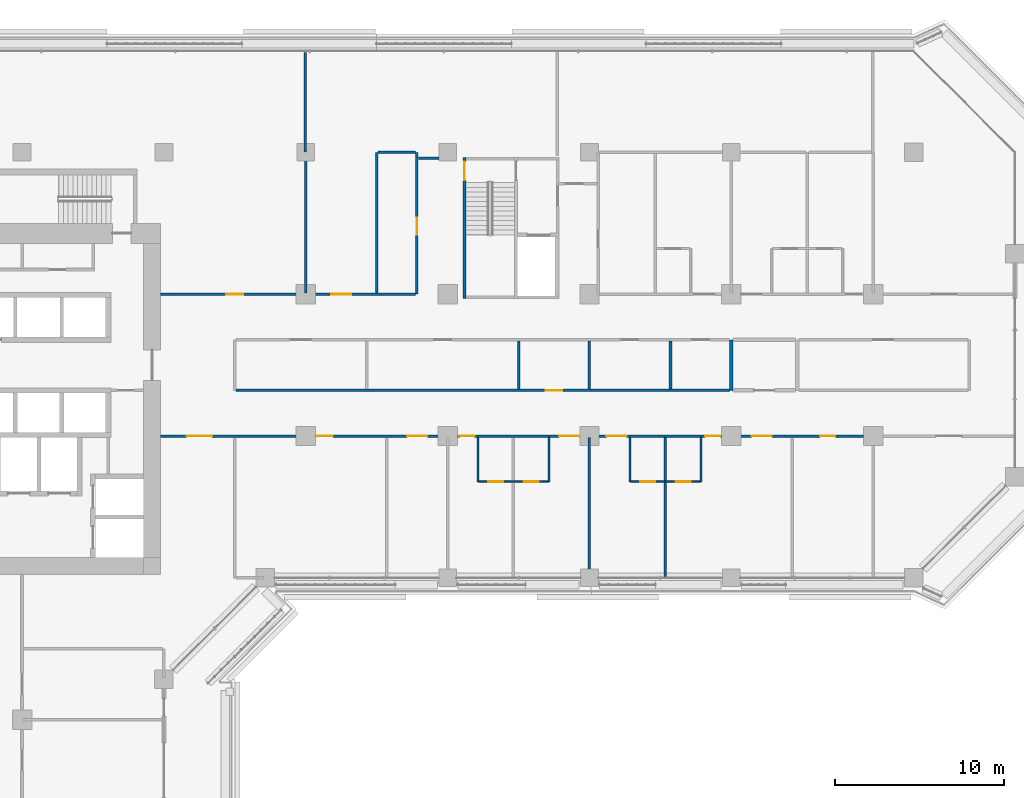
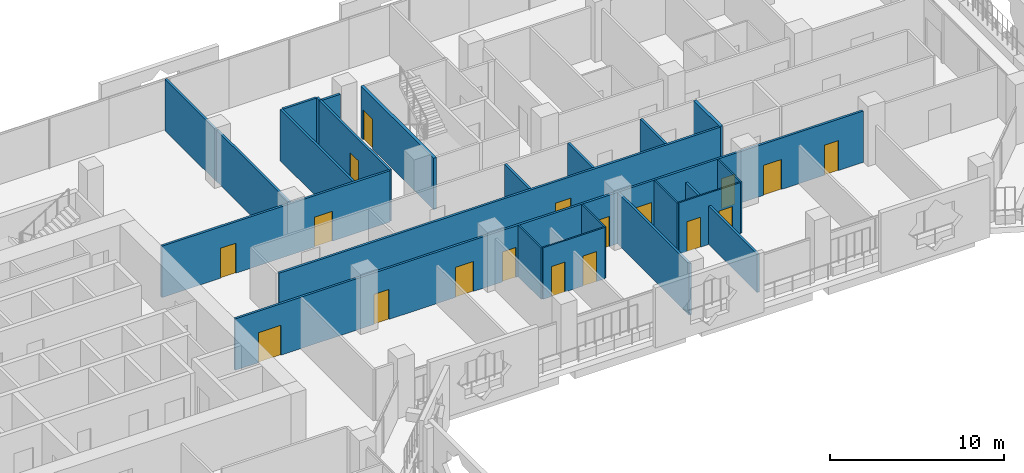
# One storey, part 15 of 25: 23 walls, 18 doors, 18 openings.
"""IFC4 building model written with IfcOpenShell, lengths in metres."""

from ifc_helpers import new_model, si_unit, direction, frame, frame_2d, origin, place, context, subcontext, project, spatial, rectangle, extrude, material, layer, layer_set, type_object, element, fill, save


model = new_model("IFC4")

# Units and contexts
model_context = context("Model", 3, precision=1e-05, world=origin(), true_north=direction((0.0, 1.0)))
body_context = subcontext(model_context, "Body", "Model", "MODEL_VIEW")
ifc_project = project(units=[si_unit("LENGTHUNIT", "METRE"), si_unit("AREAUNIT", "SQUARE_METRE"), si_unit("VOLUMEUNIT", "CUBIC_METRE"), si_unit("PLANEANGLEUNIT", "RADIAN"), si_unit("MASSUNIT", "GRAM", prefix="KILO")], contexts=[model_context])

# Site, building, storey
site_placement = place(None, origin())
site = spatial("IfcSite", under=ifc_project, at=site_placement, CompositionType="ELEMENT")
building_placement = place(site_placement, origin())
building = spatial("IfcBuilding", under=site, at=building_placement, Name="Kawkab Arch Medical Tower", CompositionType="ELEMENT")
storey_placement = place(building_placement, frame((0.0, 0.0, 145.0)))
storey = spatial("IfcBuildingStorey", under=building, at=storey_placement, Name="L33", CompositionType="ELEMENT", Elevation=145.0)

# Wall, openings, doors
ifc_material_1 = material(Name="Gypsum board partition on steel studs", Category="steel")
ifc_layer_1 = layer(ifc_material_1, 0.10009765625)
ifc_layer_set_1 = layer_set([ifc_layer_1], Name="Gypsum board partition on steel studs")
wall_type_1 = type_object("IfcWallType", Name="Partition 100", PredefinedType="PARTITIONING", material=ifc_layer_set_1)
wall_1_placement = place(storey_placement, frame((43.85009765625, -19.5, 0.0), z_axis=(0.0, 0.0, 1.0), x_axis=(1.0, 0.0, 0.0)))
wall_1 = element("IfcWall", 1, at=wall_1_placement, inside=storey, type_object=wall_type_1, Name="Partition 100 w005", PredefinedType="PARTITIONING", context=body_context, shape_type="SweptSolid", body=[
    extrude(rectangle(XDim=4.099853515625, YDim=0.10009765625, at=frame_2d((2.0498046875, 0.0))), origin(), (0.0, 0.0, 1.0), 3.60009765625),
])
opening_1_placement = place(wall_1_placement, frame((0.550048828125, 0.0, 0.0)))
opening_1 = element("IfcOpeningElement", 2, at=opening_1_placement, cuts=wall_1, Name="Opening W28-008", PredefinedType="OPENING", context=body_context, shape_type="SweptSolid", body=[
    extrude(rectangle(XDim=0.89990234375, YDim=2.10009765625, at=frame_2d((0.449951171875, 1.050048828125))), frame((0.0, 0.06005859375, 0.0), z_axis=(0.0, -1.0, 0.0), x_axis=(1.0, 0.0, 0.0)), (0.0, 0.0, 1.0), 0.1201171875),
])
opening_2_placement = place(wall_1_placement, frame((2.64990234375, 0.0, 0.0)))
opening_2 = element("IfcOpeningElement", 3, at=opening_2_placement, cuts=wall_1, Name="Opening W28-009", PredefinedType="OPENING", context=body_context, shape_type="SweptSolid", body=[
    extrude(rectangle(XDim=0.89990234375, YDim=2.10009765625, at=frame_2d((0.449951171875, 1.050048828125))), frame((0.0, 0.06005859375, 0.0), z_axis=(0.0, -1.0, 0.0), x_axis=(1.0, 0.0, 0.0)), (0.0, 0.0, 1.0), 0.1201171875),
])
ifc_material_2 = material(Name="Timber door leaf", Category="wood")
door_type_1 = type_object("IfcDoorType", Name="Single door 900x2100", OperationType="NOTDEFINED", PredefinedType="DOOR", material=ifc_material_2)
door_1_placement = place(opening_1_placement, origin())
door_1 = element("IfcDoor", 4, at=door_1_placement, inside=storey, type_object=door_type_1, Name="Door W28-008", OperationType="SINGLE_SWING_RIGHT", OverallHeight=2.10009765625, OverallWidth=0.89990234375, PredefinedType="DOOR", context=body_context, shape_type="SweptSolid", body=[
    extrude(rectangle(XDim=0.89990234375, YDim=2.10009765625, at=frame_2d((0.449951171875, 1.050048828125))), frame((0.0, 0.02490234375, 0.0), z_axis=(0.0, -1.0, 0.0), x_axis=(1.0, 0.0, 0.0)), (0.0, 0.0, 1.0), 0.050048828125),
])
fill(opening_1, door_1)
door_2_placement = place(opening_2_placement, origin())
door_2 = element("IfcDoor", 5, at=door_2_placement, inside=storey, type_object=door_type_1, Name="Door W28-009", OperationType="SINGLE_SWING_LEFT", OverallHeight=2.10009765625, OverallWidth=0.89990234375, PredefinedType="DOOR", context=body_context, shape_type="SweptSolid", body=[
    extrude(rectangle(XDim=0.89990234375, YDim=2.10009765625, at=frame_2d((0.449951171875, 1.050048828125))), frame((0.0, 0.02490234375, 0.0), z_axis=(0.0, -1.0, 0.0), x_axis=(1.0, 0.0, 0.0)), (0.0, 0.0, 1.0), 0.050048828125),
])
fill(opening_2, door_2)

wall_2_placement = place(storey_placement, frame((52.85009765625, -19.5, 0.0), z_axis=(0.0, 0.0, 1.0), x_axis=(1.0, 0.0, 0.0)))
wall_2 = element("IfcWall", 6, at=wall_2_placement, inside=storey, type_object=wall_type_1, Name="Partition 100 w006", PredefinedType="PARTITIONING", context=body_context, shape_type="SweptSolid", body=[
    extrude(rectangle(XDim=4.097900390625, YDim=0.10009765625, at=frame_2d((2.048828125, 0.0))), origin(), (0.0, 0.0, 1.0), 3.60009765625),
])
opening_3_placement = place(wall_2_placement, frame((0.550048828125, 0.0, 0.0)))
opening_3 = element("IfcOpeningElement", 7, at=opening_3_placement, cuts=wall_2, Name="Opening W28-010", PredefinedType="OPENING", context=body_context, shape_type="SweptSolid", body=[
    extrude(rectangle(XDim=0.89990234375, YDim=2.10009765625, at=frame_2d((0.449951171875, 1.050048828125))), frame((0.0, 0.06005859375, 0.0), z_axis=(0.0, -1.0, 0.0), x_axis=(1.0, 0.0, 0.0)), (0.0, 0.0, 1.0), 0.1201171875),
])
opening_4_placement = place(wall_2_placement, frame((2.64892578125, 0.0, 0.0)))
opening_4 = element("IfcOpeningElement", 8, at=opening_4_placement, cuts=wall_2, Name="Opening W28-011", PredefinedType="OPENING", context=body_context, shape_type="SweptSolid", body=[
    extrude(rectangle(XDim=0.89990234375, YDim=2.10009765625, at=frame_2d((0.449951171875, 1.050048828125))), frame((0.0, 0.06005859375, 0.0), z_axis=(0.0, -1.0, 0.0), x_axis=(1.0, 0.0, 0.0)), (0.0, 0.0, 1.0), 0.1201171875),
])
door_3_placement = place(opening_3_placement, origin())
door_3 = element("IfcDoor", 9, at=door_3_placement, inside=storey, type_object=door_type_1, Name="Door W28-010", OperationType="SINGLE_SWING_RIGHT", OverallHeight=2.10009765625, OverallWidth=0.89990234375, PredefinedType="DOOR", context=body_context, shape_type="SweptSolid", body=[
    extrude(rectangle(XDim=0.89990234375, YDim=2.10009765625, at=frame_2d((0.449951171875, 1.050048828125))), frame((0.0, 0.02490234375, 0.0), z_axis=(0.0, -1.0, 0.0), x_axis=(1.0, 0.0, 0.0)), (0.0, 0.0, 1.0), 0.050048828125),
])
fill(opening_3, door_3)
door_4_placement = place(opening_4_placement, origin())
door_4 = element("IfcDoor", 10, at=door_4_placement, inside=storey, type_object=door_type_1, Name="Door W28-011", OperationType="SINGLE_SWING_LEFT", OverallHeight=2.10009765625, OverallWidth=0.89990234375, PredefinedType="DOOR", context=body_context, shape_type="SweptSolid", body=[
    extrude(rectangle(XDim=0.89990234375, YDim=2.10009765625, at=frame_2d((0.449951171875, 1.050048828125))), frame((0.0, 0.02490234375, 0.0), z_axis=(0.0, -1.0, 0.0), x_axis=(1.0, 0.0, 0.0)), (0.0, 0.0, 1.0), 0.050048828125),
])
fill(opening_4, door_4)

# Walls
for number, where, z_axis, x_axis, name in (
    (11, (43.800048828125, -19.5, 0.0), (0.0, 0.0, 1.0), (0.0, 1.0, 0.0), "Partition 100 w012"),
    (12, (48.0, -19.5, 0.0), (0.0, 0.0, 1.0), (0.0, 1.0, 0.0), "Partition 100 w013"),
    (13, (52.800048828125, -19.5, 0.0), (0.0, 0.0, 1.0), (0.0, 1.0, 0.0), "Partition 100 w014"),
):
    element("IfcWall", number, at=place(storey_placement, frame(where, z_axis=z_axis, x_axis=x_axis)), inside=storey, type_object=wall_type_1, Name=name, PredefinedType="PARTITIONING", context=body_context, shape_type="SweptSolid", body=[
        extrude(rectangle(XDim=2.625, YDim=0.10009765625, at=frame_2d((1.3125, 0.0))), origin(), (0.0, 0.0, 1.0), 3.60009765625),
    ])
wall_3_placement = place(storey_placement, frame((57.0, -19.4990234375, 0.0), z_axis=(0.0, 0.0, 1.0), x_axis=(0.0, 1.0, 0.0)))
element("IfcWall", 14, at=wall_3_placement, inside=storey, type_object=wall_type_1, Name="Partition 100 w016", PredefinedType="PARTITIONING", context=body_context, shape_type="SweptSolid", body=[
    extrude(rectangle(XDim=2.6240234375, YDim=0.10009765625, at=frame_2d((1.31201171875, 0.0))), origin(), (0.0, 0.0, 1.0), 3.60009765625),
])

# Wall, openings, doors
ifc_material_3 = material(Name="Gypsum board partition on steel studs, mineral wool", Category="steel")
ifc_layer_2 = layer(ifc_material_3, 0.14990234375)
ifc_layer_set_2 = layer_set([ifc_layer_2], Name="Gypsum board partition on steel studs, mineral wool")
wall_type_2 = type_object("IfcWallType", Name="Partition 150", PredefinedType="PARTITIONING", material=ifc_layer_set_2)
wall_4_placement = place(storey_placement, frame((25.0, -16.800048828125, 0.0), z_axis=(0.0, 0.0, 1.0), x_axis=(1.0, 0.0, 0.0)))
wall_4 = element("IfcWall", 15, at=wall_4_placement, inside=storey, type_object=wall_type_2, Name="Partition 150 w037", PredefinedType="PARTITIONING", context=body_context, shape_type="SweptSolid", body=[
    extrude(rectangle(XDim=41.625, YDim=0.14990234375, at=frame_2d((20.8125, 0.0))), origin(), (0.0, 0.0, 1.0), 3.60009765625),
])
opening_5_placement = place(wall_4_placement, frame((1.550048828125, 0.0, 0.0)))
opening_5 = element("IfcOpeningElement", 16, at=opening_5_placement, cuts=wall_4, Name="Opening W28-001", PredefinedType="OPENING", context=body_context, shape_type="SweptSolid", body=[
    extrude(rectangle(XDim=1.5, YDim=2.10009765625, at=frame_2d((0.75, 1.050048828125))), frame((0.0, 0.0849609375, 0.0), z_axis=(0.0, -1.0, 0.0), x_axis=(1.0, 0.0, 0.0)), (0.0, 0.0, 1.0), 0.169921875),
])
opening_6_placement = place(wall_4_placement, frame((9.199951171875, 0.0, 0.0)))
opening_6 = element("IfcOpeningElement", 17, at=opening_6_placement, cuts=wall_4, Name="Opening W28-029", PredefinedType="OPENING", context=body_context, shape_type="SweptSolid", body=[
    extrude(rectangle(XDim=1.0, YDim=2.10009765625, at=frame_2d((0.5, 1.050048828125))), frame((0.0, 0.0849609375, 0.0), z_axis=(0.0, -1.0, 0.0), x_axis=(1.0, 0.0, 0.0)), (0.0, 0.0, 1.0), 0.169921875),
])
opening_7_placement = place(wall_4_placement, frame((14.60009765625, 0.0, 0.0)))
opening_7 = element("IfcOpeningElement", 18, at=opening_7_placement, cuts=wall_4, Name="Opening W28-039", PredefinedType="OPENING", context=body_context, shape_type="SweptSolid", body=[
    extrude(rectangle(XDim=1.199951171875, YDim=2.10009765625, at=frame_2d((0.60009765625, 1.050048828125))), frame((0.0, 0.0849609375, 0.0), z_axis=(0.0, -1.0, 0.0), x_axis=(1.0, 0.0, 0.0)), (0.0, 0.0, 1.0), 0.169921875),
])
opening_8_placement = place(wall_4_placement, frame((17.699951171875, 0.0, 0.0)))
opening_8 = element("IfcOpeningElement", 19, at=opening_8_placement, cuts=wall_4, Name="Opening W28-018", PredefinedType="OPENING", context=body_context, shape_type="SweptSolid", body=[
    extrude(rectangle(XDim=0.89990234375, YDim=2.10009765625, at=frame_2d((0.449951171875, 1.050048828125))), frame((0.0, 0.0849609375, 0.0), z_axis=(0.0, -1.0, 0.0), x_axis=(1.0, 0.0, 0.0)), (0.0, 0.0, 1.0), 0.169921875),
])
opening_9_placement = place(wall_4_placement, frame((23.60009765625, 0.0, 0.0)))
opening_9 = element("IfcOpeningElement", 20, at=opening_9_placement, cuts=wall_4, Name="Opening W28-040", PredefinedType="OPENING", context=body_context, shape_type="SweptSolid", body=[
    extrude(rectangle(XDim=1.199951171875, YDim=2.10009765625, at=frame_2d((0.60009765625, 1.050048828125))), frame((0.0, 0.0849609375, 0.0), z_axis=(0.0, -1.0, 0.0), x_axis=(1.0, 0.0, 0.0)), (0.0, 0.0, 1.0), 0.169921875),
])
opening_10_placement = place(wall_4_placement, frame((26.39990234375, 0.0, 0.0)))
opening_10 = element("IfcOpeningElement", 21, at=opening_10_placement, cuts=wall_4, Name="Opening W28-041", PredefinedType="OPENING", context=body_context, shape_type="SweptSolid", body=[
    extrude(rectangle(XDim=1.199951171875, YDim=2.10009765625, at=frame_2d((0.60009765625, 1.050048828125))), frame((0.0, 0.0849609375, 0.0), z_axis=(0.0, -1.0, 0.0), x_axis=(1.0, 0.0, 0.0)), (0.0, 0.0, 1.0), 0.169921875),
])
opening_11_placement = place(wall_4_placement, frame((35.0, 0.0, 0.0)))
opening_11 = element("IfcOpeningElement", 22, at=opening_11_placement, cuts=wall_4, Name="Opening W28-042", PredefinedType="OPENING", context=body_context, shape_type="SweptSolid", body=[
    extrude(rectangle(XDim=1.199951171875, YDim=2.10009765625, at=frame_2d((0.60009765625, 1.050048828125))), frame((0.0, 0.0849609375, 0.0), z_axis=(0.0, -1.0, 0.0), x_axis=(1.0, 0.0, 0.0)), (0.0, 0.0, 1.0), 0.169921875),
])
opening_12_placement = place(wall_4_placement, frame((32.25, 0.0, 0.0)))
opening_12 = element("IfcOpeningElement", 23, at=opening_12_placement, cuts=wall_4, Name="Opening W28-019", PredefinedType="OPENING", context=body_context, shape_type="SweptSolid", body=[
    extrude(rectangle(XDim=0.89990234375, YDim=2.10009765625, at=frame_2d((0.449951171875, 1.050048828125))), frame((0.0, 0.0849609375, 0.0), z_axis=(0.0, -1.0, 0.0), x_axis=(1.0, 0.0, 0.0)), (0.0, 0.0, 1.0), 0.169921875),
])
opening_13_placement = place(wall_4_placement, frame((39.06201171875, 0.0, 0.0)))
opening_13 = element("IfcOpeningElement", 24, at=opening_13_placement, cuts=wall_4, Name="Opening W28-012", PredefinedType="OPENING", context=body_context, shape_type="SweptSolid", body=[
    extrude(rectangle(XDim=0.89990234375, YDim=2.10009765625, at=frame_2d((0.449951171875, 1.050048828125))), frame((0.0, 0.0849609375, 0.0), z_axis=(0.0, -1.0, 0.0), x_axis=(1.0, 0.0, 0.0)), (0.0, 0.0, 1.0), 0.169921875),
])
ifc_material_4 = material(Name="Hollow metal door leaf")
door_type_2 = type_object("IfcDoorType", Name="Double door 1500x2100 FD30S", OperationType="NOTDEFINED", PredefinedType="DOOR", material=ifc_material_4)
door_5_placement = place(opening_5_placement, origin())
door_5 = element("IfcDoor", 25, at=door_5_placement, inside=storey, type_object=door_type_2, Name="Door W28-001", OperationType="DOUBLE_DOOR_SINGLE_SWING", OverallHeight=2.10009765625, OverallWidth=1.5, PredefinedType="DOOR", context=body_context, shape_type="SweptSolid", body=[
    extrude(rectangle(XDim=1.5, YDim=2.10009765625, at=frame_2d((0.75, 1.050048828125))), frame((0.0, 0.02490234375, 0.0), z_axis=(0.0, -1.0, 0.0), x_axis=(1.0, 0.0, 0.0)), (0.0, 0.0, 1.0), 0.050048828125),
])
fill(opening_5, door_5)
ifc_material_5 = material(Name="Hollow metal door leaf")
door_type_3 = type_object("IfcDoorType", Name="Single door 1000x2100 FD30S", OperationType="NOTDEFINED", PredefinedType="DOOR", material=ifc_material_5)
door_6_placement = place(opening_6_placement, origin())
door_6 = element("IfcDoor", 26, at=door_6_placement, inside=storey, type_object=door_type_3, Name="Door W28-029", OperationType="SINGLE_SWING_RIGHT", OverallHeight=2.10009765625, OverallWidth=1.0, PredefinedType="DOOR", context=body_context, shape_type="SweptSolid", body=[
    extrude(rectangle(XDim=1.0, YDim=2.10009765625, at=frame_2d((0.5, 1.050048828125))), frame((0.0, 0.02490234375, 0.0), z_axis=(0.0, -1.0, 0.0), x_axis=(1.0, 0.0, 0.0)), (0.0, 0.0, 1.0), 0.050048828125),
])
fill(opening_6, door_6)
ifc_material_6 = material(Name="Hollow metal door leaf")
door_type_4 = type_object("IfcDoorType", Name="Single door 1200x2100 FD30S", OperationType="NOTDEFINED", PredefinedType="DOOR", material=ifc_material_6)
door_7_placement = place(opening_7_placement, origin())
door_7 = element("IfcDoor", 27, at=door_7_placement, inside=storey, type_object=door_type_4, Name="Door W28-039", OperationType="SINGLE_SWING_RIGHT", OverallHeight=2.10009765625, OverallWidth=1.199951171875, PredefinedType="DOOR", context=body_context, shape_type="SweptSolid", body=[
    extrude(rectangle(XDim=1.199951171875, YDim=2.10009765625, at=frame_2d((0.60009765625, 1.050048828125))), frame((0.0, 0.02490234375, 0.0), z_axis=(0.0, -1.0, 0.0), x_axis=(1.0, 0.0, 0.0)), (0.0, 0.0, 1.0), 0.050048828125),
])
fill(opening_7, door_7)
door_8_placement = place(opening_9_placement, origin())
door_8 = element("IfcDoor", 28, at=door_8_placement, inside=storey, type_object=door_type_4, Name="Door W28-040", OperationType="SINGLE_SWING_LEFT", OverallHeight=2.10009765625, OverallWidth=1.199951171875, PredefinedType="DOOR", context=body_context, shape_type="SweptSolid", body=[
    extrude(rectangle(XDim=1.199951171875, YDim=2.10009765625, at=frame_2d((0.60009765625, 1.050048828125))), frame((0.0, 0.02490234375, 0.0), z_axis=(0.0, -1.0, 0.0), x_axis=(1.0, 0.0, 0.0)), (0.0, 0.0, 1.0), 0.050048828125),
])
fill(opening_9, door_8)
door_9_placement = place(opening_10_placement, origin())
door_9 = element("IfcDoor", 29, at=door_9_placement, inside=storey, type_object=door_type_4, Name="Door W28-041", OperationType="SINGLE_SWING_LEFT", OverallHeight=2.10009765625, OverallWidth=1.199951171875, PredefinedType="DOOR", context=body_context, shape_type="SweptSolid", body=[
    extrude(rectangle(XDim=1.199951171875, YDim=2.10009765625, at=frame_2d((0.60009765625, 1.050048828125))), frame((0.0, 0.02490234375, 0.0), z_axis=(0.0, -1.0, 0.0), x_axis=(1.0, 0.0, 0.0)), (0.0, 0.0, 1.0), 0.050048828125),
])
fill(opening_10, door_9)
door_10_placement = place(opening_11_placement, origin())
door_10 = element("IfcDoor", 30, at=door_10_placement, inside=storey, type_object=door_type_4, Name="Door W28-042", OperationType="SINGLE_SWING_LEFT", OverallHeight=2.10009765625, OverallWidth=1.199951171875, PredefinedType="DOOR", context=body_context, shape_type="SweptSolid", body=[
    extrude(rectangle(XDim=1.199951171875, YDim=2.10009765625, at=frame_2d((0.60009765625, 1.050048828125))), frame((0.0, 0.02490234375, 0.0), z_axis=(0.0, -1.0, 0.0), x_axis=(1.0, 0.0, 0.0)), (0.0, 0.0, 1.0), 0.050048828125),
])
fill(opening_11, door_10)
door_11_placement = place(opening_13_placement, origin())
door_11 = element("IfcDoor", 31, at=door_11_placement, inside=storey, type_object=door_type_1, Name="Door W28-012", OperationType="SINGLE_SWING_LEFT", OverallHeight=2.10009765625, OverallWidth=0.89990234375, PredefinedType="DOOR", context=body_context, shape_type="SweptSolid", body=[
    extrude(rectangle(XDim=0.89990234375, YDim=2.10009765625, at=frame_2d((0.449951171875, 1.050048828125))), frame((0.0, 0.02490234375, 0.0), z_axis=(0.0, -1.0, 0.0), x_axis=(1.0, 0.0, 0.0)), (0.0, 0.0, 1.0), 0.050048828125),
])
fill(opening_13, door_11)
ifc_material_7 = material(Name="Hollow metal door leaf")
door_type_5 = type_object("IfcDoorType", Name="Single door 900x2100 FD30S", OperationType="NOTDEFINED", PredefinedType="DOOR", material=ifc_material_7)
door_12_placement = place(opening_8_placement, origin())
door_12 = element("IfcDoor", 32, at=door_12_placement, inside=storey, type_object=door_type_5, Name="Door W28-018", OperationType="SINGLE_SWING_RIGHT", OverallHeight=2.10009765625, OverallWidth=0.89990234375, PredefinedType="DOOR", context=body_context, shape_type="SweptSolid", body=[
    extrude(rectangle(XDim=0.89990234375, YDim=2.10009765625, at=frame_2d((0.449951171875, 1.050048828125))), frame((0.0, 0.02490234375, 0.0), z_axis=(0.0, -1.0, 0.0), x_axis=(1.0, 0.0, 0.0)), (0.0, 0.0, 1.0), 0.050048828125),
])
fill(opening_8, door_12)
door_13_placement = place(opening_12_placement, origin())
door_13 = element("IfcDoor", 33, at=door_13_placement, inside=storey, type_object=door_type_5, Name="Door W28-019", OperationType="SINGLE_SWING_LEFT", OverallHeight=2.10009765625, OverallWidth=0.89990234375, PredefinedType="DOOR", context=body_context, shape_type="SweptSolid", body=[
    extrude(rectangle(XDim=0.89990234375, YDim=2.10009765625, at=frame_2d((0.449951171875, 1.050048828125))), frame((0.0, 0.02490234375, 0.0), z_axis=(0.0, -1.0, 0.0), x_axis=(1.0, 0.0, 0.0)), (0.0, 0.0, 1.0), 0.050048828125),
])
fill(opening_12, door_13)

# Wall, opening, door
wall_5_placement = place(storey_placement, frame((29.47509765625, -14.10009765625, 0.0), z_axis=(0.0, 0.0, 1.0), x_axis=(1.0, 0.0, 0.0)))
wall_5 = element("IfcWall", 34, at=wall_5_placement, inside=storey, type_object=wall_type_2, Name="Partition 150 w039", PredefinedType="PARTITIONING", context=body_context, shape_type="SweptSolid", body=[
    extrude(rectangle(XDim=29.224853515625, YDim=0.14990234375, at=frame_2d((14.6123046875, 0.0))), origin(), (0.0, 0.0, 1.0), 3.60009765625),
])
opening_14_placement = place(wall_5_placement, frame((18.324951171875, 0.0, 0.0)))
opening_14 = element("IfcOpeningElement", 35, at=opening_14_placement, cuts=wall_5, Name="Opening W28-027", PredefinedType="OPENING", context=body_context, shape_type="SweptSolid", body=[
    extrude(rectangle(XDim=1.0, YDim=2.10009765625, at=frame_2d((0.5, 1.050048828125))), frame((0.0, 0.0849609375, 0.0), z_axis=(0.0, -1.0, 0.0), x_axis=(1.0, 0.0, 0.0)), (0.0, 0.0, 1.0), 0.169921875),
])
door_14_placement = place(opening_14_placement, origin())
door_14 = element("IfcDoor", 36, at=door_14_placement, inside=storey, type_object=door_type_3, Name="Door W28-027", OperationType="SINGLE_SWING_RIGHT", OverallHeight=2.10009765625, OverallWidth=1.0, PredefinedType="DOOR", context=body_context, shape_type="SweptSolid", body=[
    extrude(rectangle(XDim=1.0, YDim=2.10009765625, at=frame_2d((0.5, 1.050048828125))), frame((0.0, 0.02490234375, 0.0), z_axis=(0.0, -1.0, 0.0), x_axis=(1.0, 0.0, 0.0)), (0.0, 0.0, 1.0), 0.050048828125),
])
fill(opening_14, door_14)

# Wall, openings, doors
wall_6_placement = place(storey_placement, frame((25.0, -8.39990234375, 0.0), z_axis=(0.0, 0.0, 1.0), x_axis=(1.0, 0.0, 0.0)))
wall_6 = element("IfcWall", 37, at=wall_6_placement, inside=storey, type_object=wall_type_2, Name="Partition 150 w043", PredefinedType="PARTITIONING", context=body_context, shape_type="SweptSolid", body=[
    extrude(rectangle(XDim=15.10693359375, YDim=0.14990234375, at=frame_2d((7.553466796875, 0.0))), origin(), (0.0, 0.0, 1.0), 3.60009765625),
])
opening_15_placement = place(wall_6_placement, frame((3.89990234375, 0.0, 0.0)))
opening_15 = element("IfcOpeningElement", 38, at=opening_15_placement, cuts=wall_6, Name="Opening W28-022", PredefinedType="OPENING", context=body_context, shape_type="SweptSolid", body=[
    extrude(rectangle(XDim=1.0, YDim=2.10009765625, at=frame_2d((0.5, 1.050048828125))), frame((0.0, 0.0849609375, 0.0), z_axis=(0.0, -1.0, 0.0), x_axis=(1.0, 0.0, 0.0)), (0.0, 0.0, 1.0), 0.169921875),
])
opening_16_placement = place(wall_6_placement, frame((10.10009765625, 0.0, 0.0)))
opening_16 = element("IfcOpeningElement", 39, at=opening_16_placement, cuts=wall_6, Name="Opening W28-034", PredefinedType="OPENING", context=body_context, shape_type="SweptSolid", body=[
    extrude(rectangle(XDim=1.199951171875, YDim=2.10009765625, at=frame_2d((0.60009765625, 1.050048828125))), frame((0.0, 0.0849609375, 0.0), z_axis=(0.0, -1.0, 0.0), x_axis=(1.0, 0.0, 0.0)), (0.0, 0.0, 1.0), 0.169921875),
])
door_15_placement = place(opening_15_placement, origin())
door_15 = element("IfcDoor", 40, at=door_15_placement, inside=storey, type_object=door_type_3, Name="Door W28-022", OperationType="SINGLE_SWING_LEFT", OverallHeight=2.10009765625, OverallWidth=1.0, PredefinedType="DOOR", context=body_context, shape_type="SweptSolid", body=[
    extrude(rectangle(XDim=1.0, YDim=2.10009765625, at=frame_2d((0.5, 1.050048828125))), frame((0.0, 0.02490234375, 0.0), z_axis=(0.0, -1.0, 0.0), x_axis=(1.0, 0.0, 0.0)), (0.0, 0.0, 1.0), 0.050048828125),
])
fill(opening_15, door_15)
door_16_placement = place(opening_16_placement, origin())
door_16 = element("IfcDoor", 41, at=door_16_placement, inside=storey, type_object=door_type_4, Name="Door W28-034", OperationType="SINGLE_SWING_RIGHT", OverallHeight=2.10009765625, OverallWidth=1.199951171875, PredefinedType="DOOR", context=body_context, shape_type="SweptSolid", body=[
    extrude(rectangle(XDim=1.199951171875, YDim=2.10009765625, at=frame_2d((0.60009765625, 1.050048828125))), frame((0.0, 0.02490234375, 0.0), z_axis=(0.0, -1.0, 0.0), x_axis=(1.0, 0.0, 0.0)), (0.0, 0.0, 1.0), 0.050048828125),
])
fill(opening_16, door_16)

# Walls
wall_7_placement = place(storey_placement, frame((40.277099609375, -0.35009765625, 0.0), z_axis=(0.0, 0.0, 1.0), x_axis=(1.0, 0.0, 0.0)))
element("IfcWall", 42, at=wall_7_placement, inside=storey, type_object=wall_type_2, Name="Partition 150 w047", PredefinedType="PARTITIONING", context=body_context, shape_type="SweptSolid", body=[
    extrude(rectangle(XDim=1.2109375, YDim=0.14990234375, at=frame_2d((0.60546875, 0.0))), origin(), (0.0, 0.0, 1.0), 3.60009765625),
])
wall_8_placement = place(storey_placement, frame((37.8779296875, 0.0, 0.0), z_axis=(0.0, 0.0, 1.0), x_axis=(1.0, 0.0, 0.0)))
element("IfcWall", 43, at=wall_8_placement, inside=storey, type_object=wall_type_2, Name="Partition 150 w049", PredefinedType="PARTITIONING", context=body_context, shape_type="SweptSolid", body=[
    extrude(rectangle(XDim=2.22607421875, YDim=0.14990234375, at=frame_2d((1.113037109375, 0.0))), origin(), (0.0, 0.0, 1.0), 3.60009765625),
])
wall_9_placement = place(storey_placement, frame((33.580078125, 0.02001953125, 0.0), z_axis=(0.0, 0.0, 1.0), x_axis=(0.0, 1.0, 0.0)))
element("IfcWall", 44, at=wall_9_placement, inside=storey, type_object=wall_type_2, Name="Partition 150 w063", PredefinedType="PARTITIONING", context=body_context, shape_type="SweptSolid", body=[
    extrude(rectangle(XDim=5.89990234375, YDim=0.14990234375, at=frame_2d((2.949951171875, 0.0))), origin(), (0.0, 0.0, 1.0), 3.60009765625),
])
for number, where, z_axis, x_axis, name in (
    (45, (33.60009765625, -8.324951171875, 0.0), (0.0, 0.0, 1.0), (0.0, 1.0, 0.0), "Partition 150 w064"),
    (46, (37.800048828125, -8.324951171875, 0.0), (0.0, 0.0, 1.0), (0.0, 1.0, 0.0), "Partition 150 w066"),
):
    element("IfcWall", number, at=place(storey_placement, frame(where, z_axis=z_axis, x_axis=x_axis)), inside=storey, type_object=wall_type_2, Name=name, PredefinedType="PARTITIONING", context=body_context, shape_type="SweptSolid", body=[
        extrude(rectangle(XDim=8.322021484375, YDim=0.14990234375, at=frame_2d((4.1611328125, 0.0))), origin(), (0.0, 0.0, 1.0), 3.60009765625),
    ])

# Wall, opening, door
wall_10_placement = place(storey_placement, frame((40.181884765625, -8.39990234375, 0.0), z_axis=(0.0, 0.0, 1.0), x_axis=(0.0, 1.0, 0.0)))
wall_10 = element("IfcWall", 47, at=wall_10_placement, inside=storey, type_object=wall_type_2, Name="Partition 150 w068", PredefinedType="PARTITIONING", context=body_context, shape_type="SweptSolid", body=[
    extrude(rectangle(XDim=8.0498046875, YDim=0.14990234375, at=frame_2d((4.02490234375, 0.0))), origin(), (0.0, 0.0, 1.0), 3.60009765625),
])
opening_17_placement = place(wall_10_placement, frame((3.52490234375, 0.0, 0.0)))
opening_17 = element("IfcOpeningElement", 48, at=opening_17_placement, cuts=wall_10, Name="Opening W28-023", PredefinedType="OPENING", context=body_context, shape_type="SweptSolid", body=[
    extrude(rectangle(XDim=1.0, YDim=2.10009765625, at=frame_2d((0.5, 1.050048828125))), frame((0.0, 0.0849609375, 0.0), z_axis=(0.0, -1.0, 0.0), x_axis=(1.0, 0.0, 0.0)), (0.0, 0.0, 1.0), 0.169921875),
])
door_17_placement = place(opening_17_placement, origin())
door_17 = element("IfcDoor", 49, at=door_17_placement, inside=storey, type_object=door_type_3, Name="Door W28-023", OperationType="SINGLE_SWING_RIGHT", OverallHeight=2.10009765625, OverallWidth=1.0, PredefinedType="DOOR", context=body_context, shape_type="SweptSolid", body=[
    extrude(rectangle(XDim=1.0, YDim=2.10009765625, at=frame_2d((0.5, 1.050048828125))), frame((0.0, 0.02490234375, 0.0), z_axis=(0.0, -1.0, 0.0), x_axis=(1.0, 0.0, 0.0)), (0.0, 0.0, 1.0), 0.050048828125),
])
fill(opening_17, door_17)

# Walls
wall_11_placement = place(storey_placement, frame((40.181884765625, -0.330078125, 0.0), z_axis=(0.0, 0.0, 1.0), x_axis=(0.0, 1.0, 0.0)))
element("IfcWall", 50, at=wall_11_placement, inside=storey, type_object=wall_type_2, Name="Partition 150 w069", PredefinedType="PARTITIONING", context=body_context, shape_type="SweptSolid", body=[
    extrude(rectangle(XDim=0.3271484375, YDim=0.14990234375, at=frame_2d((0.16357421875, 0.0))), origin(), (0.0, 0.0, 1.0), 3.60009765625),
])
wall_12_placement = place(storey_placement, frame((46.199951171875, -14.02490234375, 0.0), z_axis=(0.0, 0.0, 1.0), x_axis=(0.0, 1.0, 0.0)))
element("IfcWall", 51, at=wall_12_placement, inside=storey, type_object=wall_type_2, Name="Partition 150 w072", PredefinedType="PARTITIONING", context=body_context, shape_type="SweptSolid", body=[
    extrude(rectangle(XDim=2.849853515625, YDim=0.14990234375, at=frame_2d((1.4248046875, 0.0))), origin(), (0.0, 0.0, 1.0), 3.60009765625),
])
wall_13_placement = place(storey_placement, frame((50.39990234375, -25.1201171875, 0.0), z_axis=(0.0, 0.0, 1.0), x_axis=(0.0, 1.0, 0.0)))
element("IfcWall", 52, at=wall_13_placement, inside=storey, type_object=wall_type_2, Name="Partition 150 w074", PredefinedType="PARTITIONING", context=body_context, shape_type="SweptSolid", body=[
    extrude(rectangle(XDim=8.2451171875, YDim=0.14990234375, at=frame_2d((4.12255859375, 0.0))), origin(), (0.0, 0.0, 1.0), 3.60009765625),
])
wall_14_placement = place(storey_placement, frame((50.39990234375, -14.02490234375, 0.0), z_axis=(0.0, 0.0, 1.0), x_axis=(0.0, 1.0, 0.0)))
element("IfcWall", 53, at=wall_14_placement, inside=storey, type_object=wall_type_2, Name="Partition 150 w075", PredefinedType="PARTITIONING", context=body_context, shape_type="SweptSolid", body=[
    extrude(rectangle(XDim=2.849853515625, YDim=0.14990234375, at=frame_2d((1.4248046875, 0.0))), origin(), (0.0, 0.0, 1.0), 3.60009765625),
])
wall_15_placement = place(storey_placement, frame((54.89990234375, -25.1201171875, 0.0), z_axis=(0.0, 0.0, 1.0), x_axis=(0.0, 1.0, 0.0)))
element("IfcWall", 54, at=wall_15_placement, inside=storey, type_object=wall_type_2, Name="Partition 150 w079", PredefinedType="PARTITIONING", context=body_context, shape_type="SweptSolid", body=[
    extrude(rectangle(XDim=8.2451171875, YDim=0.14990234375, at=frame_2d((4.12255859375, 0.0))), origin(), (0.0, 0.0, 1.0), 2.699951171875),
])
wall_16_placement = place(storey_placement, frame((55.199951171875, -14.02490234375, 0.0), z_axis=(0.0, 0.0, 1.0), x_axis=(0.0, 1.0, 0.0)))
element("IfcWall", 55, at=wall_16_placement, inside=storey, type_object=wall_type_2, Name="Partition 150 w080", PredefinedType="PARTITIONING", context=body_context, shape_type="SweptSolid", body=[
    extrude(rectangle(XDim=2.849853515625, YDim=0.14990234375, at=frame_2d((1.4248046875, 0.0))), origin(), (0.0, 0.0, 1.0), 3.60009765625),
])
ifc_material_8 = material(Name="Fire-rated gypsum board partition on steel studs", Category="steel")
ifc_layer_3 = layer(ifc_material_8, 0.199951171875)
ifc_layer_set_3 = layer_set([ifc_layer_3], Name="Fire-rated gypsum board partition on steel studs")
wall_type_3 = type_object("IfcWallType", Name="Protected partition 200", PredefinedType="PARTITIONING", material=ifc_layer_set_3)
wall_17_placement = place(storey_placement, frame((58.800048828125, -14.10009765625, 0.0), z_axis=(0.0, 0.0, 1.0), x_axis=(0.0, 1.0, 0.0)))
element("IfcWall", 56, at=wall_17_placement, inside=storey, type_object=wall_type_3, Name="Protected partition 200 w090", PredefinedType="PARTITIONING", context=body_context, shape_type="SweptSolid", body=[
    extrude(rectangle(XDim=3.0, YDim=0.199951171875, at=frame_2d((1.5, 0.0))), origin(), (0.0, 0.0, 1.0), 3.60009765625),
])

# Wall, opening, door
ifc_material_9 = material(Name="Concrete C50/60", Category="concrete")
ifc_layer_4 = layer(ifc_material_9, 0.199951171875)
ifc_layer_set_4 = layer_set([ifc_layer_4], Name="Concrete C50/60")
wall_type_4 = type_object("IfcWallType", Name="Stair enclosure wall 200 C50/60", PredefinedType="SHEAR", material=ifc_layer_set_4)
wall_18_placement = place(storey_placement, frame((43.0, -8.64990234375, 0.0), z_axis=(0.0, 0.0, 1.0), x_axis=(0.0, 1.0, 0.0)))
wall_18 = element("IfcWall", 57, at=wall_18_placement, inside=storey, type_object=wall_type_4, Name="L33 stair enclosure wall", PredefinedType="SHEAR", context=body_context, shape_type="SweptSolid", body=[
    extrude(rectangle(XDim=8.349853515625, YDim=0.199951171875, at=frame_2d((4.1748046875, 0.0))), origin(), (0.0, 0.0, 1.0), 3.60009765625),
])
opening_18_placement = place(wall_18_placement, frame((7.0, 0.0, 0.0)))
opening_18 = element("IfcOpeningElement", 58, at=opening_18_placement, cuts=wall_18, Name="Opening SD", PredefinedType="OPENING", context=body_context, shape_type="SweptSolid", body=[
    extrude(rectangle(XDim=1.10009765625, YDim=2.10009765625, at=frame_2d((0.550048828125, 1.050048828125))), frame((0.0, 0.10986328125, 0.0), z_axis=(0.0, -1.0, 0.0), x_axis=(1.0, 0.0, 0.0)), (0.0, 0.0, 1.0), 0.219970703125),
])
ifc_material_10 = material(Name="Hollow metal fire door leaf")
door_type_6 = type_object("IfcDoorType", Name="Exit stair door 1100", OperationType="SINGLE_SWING_LEFT", PredefinedType="DOOR", material=ifc_material_10)
door_18_placement = place(opening_18_placement, frame((1.10009765625, 0.0, 0.0), z_axis=(0.0, 0.0, 1.0), x_axis=(-1.0, 0.0, 0.0)))
door_18 = element("IfcDoor", 59, at=door_18_placement, inside=storey, type_object=door_type_6, Name="L33 Exit stair ST5 door", OperationType="SINGLE_SWING_LEFT", OverallHeight=2.10009765625, OverallWidth=1.10009765625, PredefinedType="DOOR", context=body_context, shape_type="SweptSolid", body=[
    extrude(rectangle(XDim=1.10009765625, YDim=2.10009765625, at=frame_2d((0.550048828125, 1.050048828125))), frame((0.0, 0.02490234375, 0.0), z_axis=(0.0, -1.0, 0.0), x_axis=(1.0, 0.0, 0.0)), (0.0, 0.0, 1.0), 0.050048828125),
])
fill(opening_18, door_18)

save(model, "model.ifc")
